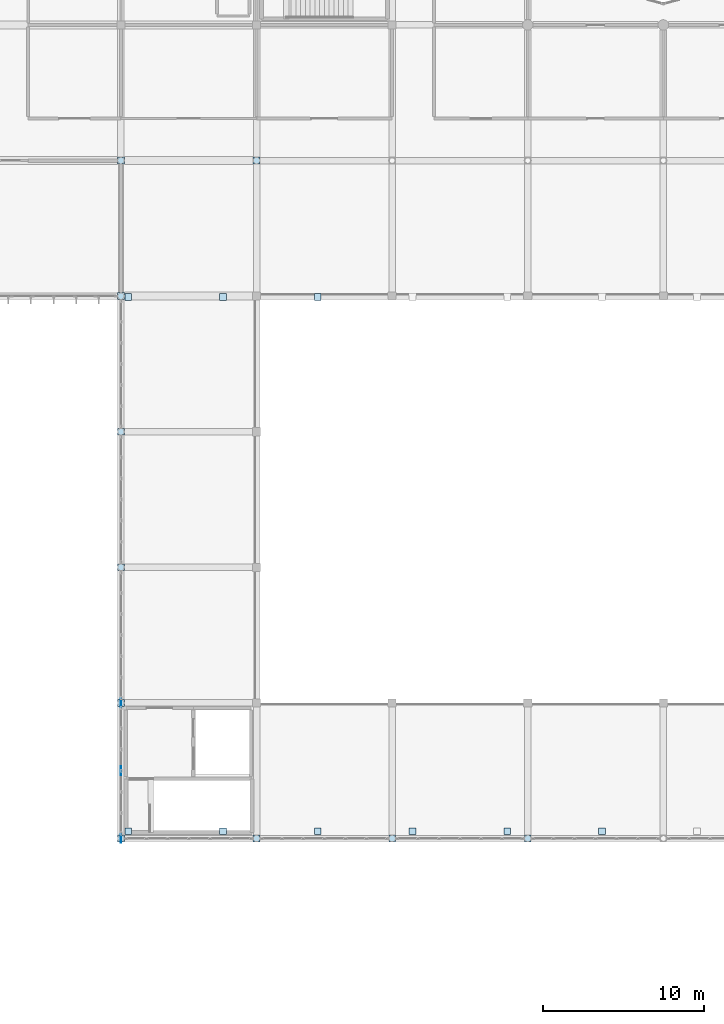
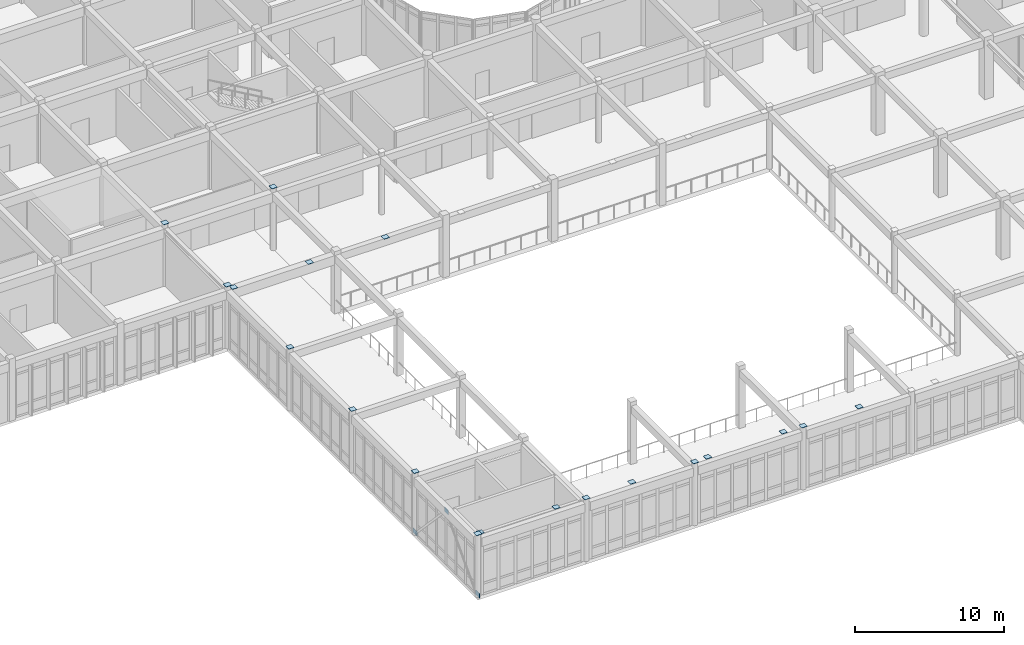
# One storey, part 87 of 134: 22 plates.
"""IFC4 building model written with IfcOpenShell, lengths in metres."""

from ifc_helpers import new_model, si_unit, direction, frame, origin, origin_2d, place, context, subcontext, project, spatial, rectangle, extrude, material, layer, layer_set, type_object, element, save


model = new_model("IFC4")

# Units and contexts
model_context = context("Model", 3, precision=1e-05, world=origin(), true_north=direction((0.0, 1.0)))
body_context = subcontext(model_context, "Body", "Model", "MODEL_VIEW")
ifc_project = project(units=[si_unit("LENGTHUNIT", "METRE"), si_unit("AREAUNIT", "SQUARE_METRE"), si_unit("VOLUMEUNIT", "CUBIC_METRE"), si_unit("PLANEANGLEUNIT", "RADIAN"), si_unit("MASSUNIT", "GRAM", prefix="KILO")], contexts=[model_context])

# Site, building, storey
site_placement = place(None, origin())
site = spatial("IfcSite", under=ifc_project, at=site_placement, CompositionType="ELEMENT")
building_placement = place(site_placement, origin())
building = spatial("IfcBuilding", under=site, at=building_placement, Name="Bramfleet General Hospital", CompositionType="ELEMENT")
storey_placement = place(building_placement, frame((0.0, 0.0, 9.300048828125)))
storey = spatial("IfcBuildingStorey", under=building, at=storey_placement, Name="L02", CompositionType="ELEMENT", Elevation=9.300048828125)

# Plates
ifc_material = material(Name="Steel S355", Category="steel")
ifc_layer_1 = layer(ifc_material, 0.02490234375, Name="PL-BP-420")
ifc_layer_set_1 = layer_set([ifc_layer_1], Name="Steel S355")
plate_type_1 = type_object("IfcPlateType", Name="PL-BP-420", PredefinedType="USERDEFINED", material=ifc_layer_set_1)
for number, where, z_axis, x_axis, name in (
    (1, (50.39990234375, 16.800048828125, 5.10009765625), (0.0, 0.0, 1.0), (1.0, 0.0, 0.0), "Hollow Column Cap Plate COL-L02-06-02"),
    (2, (50.39990234375, 25.199951171875, 5.10009765625), (0.0, 0.0, 1.0), (1.0, 0.0, 0.0), "Hollow Column Cap Plate COL-L02-06-03"),
    (3, (50.39990234375, 33.60009765625, 5.10009765625), (0.0, 0.0, 1.0), (1.0, 0.0, 0.0), "Hollow Column Cap Plate COL-L02-06-04"),
    (4, (50.39990234375, 42.0, 5.10009765625), (0.0, 0.0, 1.0), (1.0, 0.0, 0.0), "Hollow Column Cap Plate COL-L02-06-05"),
    (5, (50.39990234375, 50.39990234375, 5.10009765625), (0.0, 0.0, 1.0), (1.0, 0.0, 0.0), "Hollow Column Cap Plate COL-L02-06-06"),
    (6, (50.39990234375, 58.800048828125, 5.10009765625), (0.0, 0.0, 1.0), (1.0, 0.0, 0.0), "Hollow Column Cap Plate COL-L02-06-07"),
    (7, (58.800048828125, 16.800048828125, 5.10009765625), (0.0, 0.0, 1.0), (1.0, 0.0, 0.0), "Hollow Column Cap Plate COL-L02-07-02"),
    (8, (58.800048828125, 58.800048828125, 5.10009765625), (0.0, 0.0, 1.0), (1.0, 0.0, 0.0), "Hollow Column Cap Plate COL-L02-07-07"),
    (9, (67.199951171875, 16.800048828125, 5.10009765625), (0.0, 0.0, 1.0), (1.0, 0.0, 0.0), "Hollow Column Cap Plate COL-L02-08-02"),
    (10, (75.60009765625, 16.800048828125, 5.10009765625), (0.0, 0.0, 1.0), (1.0, 0.0, 0.0), "Hollow Column Cap Plate COL-L02-09-02"),
    (11, (50.85009765625, 17.25, 4.77490234375), (0.0, 0.0, 1.0), (1.0, 0.0, 0.0), "Space Frame Pedestal Foot Cap Plate 0-0"),
    (12, (50.85009765625, 50.35009765625, 4.77490234375), (0.0, 0.0, 1.0), (1.0, 0.0, 0.0), "Space Frame Pedestal Foot Cap Plate 0-6"),
    (13, (56.721435546875, 17.25, 4.77490234375), (0.0, 0.0, 1.0), (1.0, 0.0, 0.0), "Space Frame Pedestal Foot Cap Plate 1-0"),
    (14, (56.721435546875, 50.35009765625, 4.77490234375), (0.0, 0.0, 1.0), (1.0, 0.0, 0.0), "Space Frame Pedestal Foot Cap Plate 1-6"),
    (15, (62.5927734375, 17.25, 4.77490234375), (0.0, 0.0, 1.0), (1.0, 0.0, 0.0), "Space Frame Pedestal Foot Cap Plate 2-0"),
    (16, (62.5927734375, 50.35009765625, 4.77490234375), (0.0, 0.0, 1.0), (1.0, 0.0, 0.0), "Space Frame Pedestal Foot Cap Plate 2-6"),
    (17, (68.46435546875, 17.25, 4.77490234375), (0.0, 0.0, 1.0), (1.0, 0.0, 0.0), "Space Frame Pedestal Foot Cap Plate 3-0"),
    (18, (74.335693359375, 17.25, 4.77490234375), (0.0, 0.0, 1.0), (1.0, 0.0, 0.0), "Space Frame Pedestal Foot Cap Plate 4-0"),
    (19, (80.20703125, 17.25, 4.77490234375), (0.0, 0.0, 1.0), (1.0, 0.0, 0.0), "Space Frame Pedestal Foot Cap Plate 5-0"),
):
    element("IfcPlate", number, at=place(storey_placement, frame(where, z_axis=z_axis, x_axis=x_axis)), inside=storey, type_object=plate_type_1, Name=name, ObjectType="Base plate", PredefinedType="USERDEFINED", context=body_context, shape_type="SweptSolid", body=[
        extrude(rectangle(XDim=0.419921875, YDim=0.419921875, at=origin_2d()), origin(), (0.0, 0.0, 1.0), 0.02490234375),
    ])
ifc_layer_2 = layer(ifc_material, 0.02001953125, Name="PL-GP-540")
ifc_layer_set_2 = layer_set([ifc_layer_2], Name="Steel S355")
plate_type_2 = type_object("IfcPlateType", Name="PL-GP-540", PredefinedType="USERDEFINED", material=ifc_layer_set_2)
for number, where, z_axis, x_axis, name in (
    (20, (50.39990234375, 21.0, 4.25), (0.0, 0.0, 1.0), (1.0, 0.0, 0.0), "L02 Chevron Gusset Plate 3"),
    (21, (50.39990234375, 16.800048828125, -0.0400390625), (0.0, 0.0, 1.0), (1.0, 0.0, 0.0), "L02 Brace Foot Gusset Plate 3A"),
    (22, (50.39990234375, 25.199951171875, -0.0400390625), (0.0, 0.0, 1.0), (1.0, 0.0, 0.0), "L02 Brace Foot Gusset Plate 3B"),
):
    element("IfcPlate", number, at=place(storey_placement, frame(where, z_axis=z_axis, x_axis=x_axis)), inside=storey, type_object=plate_type_2, Name=name, ObjectType="Gusset plate", PredefinedType="USERDEFINED", context=body_context, shape_type="SweptSolid", body=[
        extrude(rectangle(XDim=0.02001953125, YDim=0.5400390625, at=origin_2d()), origin(), (0.0, 0.0, 1.0), 0.360107421875),
    ])

save(model, "model.ifc")
